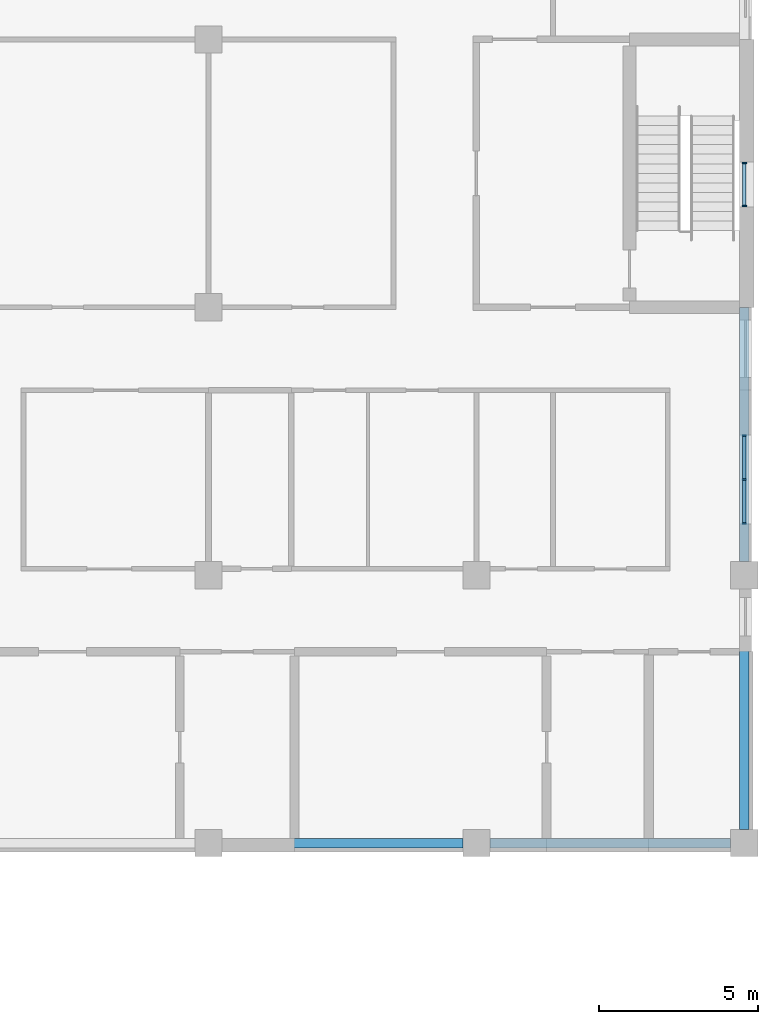
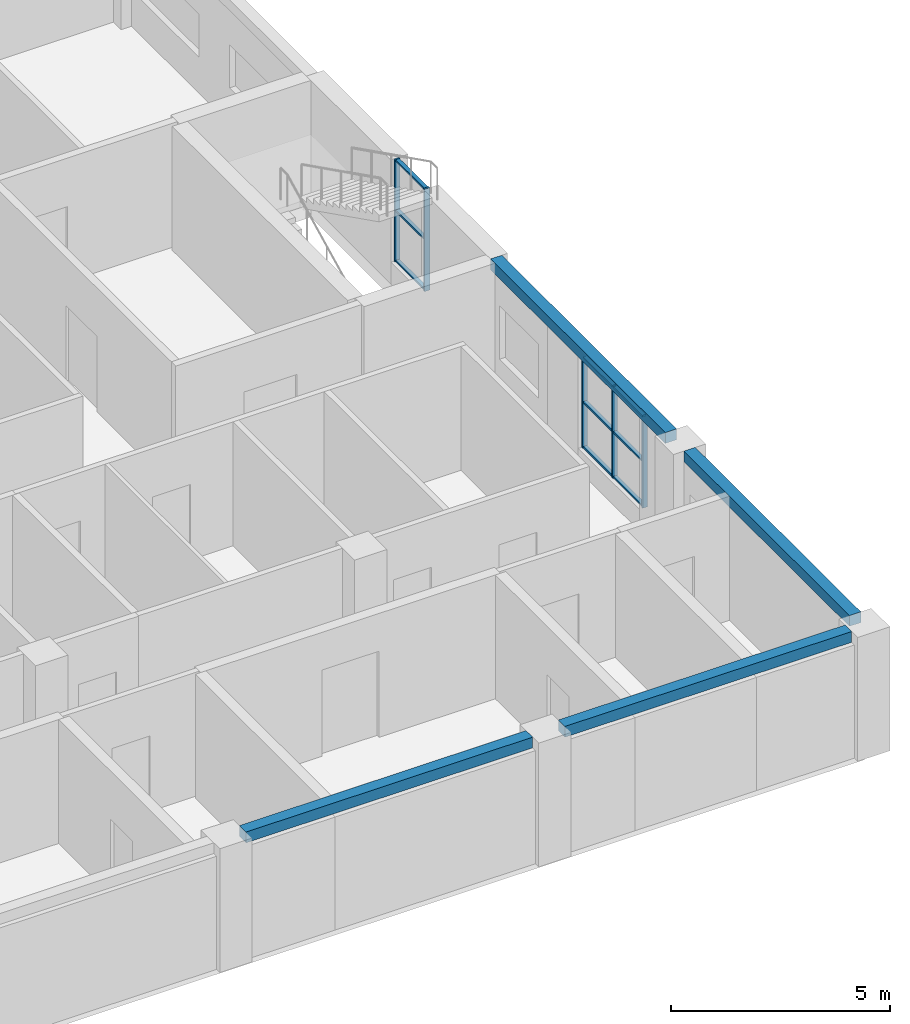
# One storey, part 36 of 94: 14 members, 4 beams, 2 elements without a shape of their own.
"""IFC4 building model written with IfcOpenShell, lengths in metres."""

import ifcopenshell
import ifcopenshell.guid

model = None  # the IFC model being written
_history = None  # IfcOwnerHistory: only IFC2X3 demands one
_inside = {}  # id of a spatial element -> (the spatial element, [elements in it])
_under = {}  # id of a project, library or spatial element -> (it, [spatial elements below it])
_declared = {}  # id of a project -> (the project, [libraries it declares])
_typed = {}  # id of a type object -> (the type object, [elements of that type])
_made_of = {}  # id of a material, layer set ... -> (it, [elements and type objects made of it])


def new_model(schema):
    """Start an empty IFC model of exactly this schema.

    Asked for "IFC4X3", IfcOpenShell would pick the latest addendum, in which some entities
    have other attributes; the version numbers below select the first issue.
    IFC2X3 requires an IfcOwnerHistory on every rooted entity: one is made here for all.
    """
    global model, _history
    if schema == "IFC4X3":
        model = ifcopenshell.file(schema_version=(4, 3, 0, 0))
    else:
        model = ifcopenshell.file(schema=schema)
    _inside.clear()
    _under.clear()
    _declared.clear()
    _typed.clear()
    _made_of.clear()
    _history = None
    if model.schema == "IFC2X3":
        org = make("IfcOrganization", Name="unknown")
        user = make(
            "IfcPersonAndOrganization",
            ThePerson=make("IfcPerson", FamilyName="unknown"),
            TheOrganization=org,
        )
        app = make(
            "IfcApplication",
            ApplicationDeveloper=org,
            Version="unknown",
            ApplicationFullName="unknown",
            ApplicationIdentifier="unknown",
        )
        _history = make(
            "IfcOwnerHistory",
            OwningUser=user,
            OwningApplication=app,
            ChangeAction="ADDED",
            CreationDate=0,
        )
    return model


def make(cls, **values):
    """One entity of the class cls with the attributes given. An attribute that is None is left unset."""
    return model.create_entity(
        cls, **{name: value for name, value in values.items() if value is not None}
    )


def rooted(cls, **values):
    """An entity with a GlobalId (a new one), such as an element, a storey or a relation."""
    return make(cls, GlobalId=ifcopenshell.guid.new(), OwnerHistory=_history, **values)


def si_unit(unit_type, name, prefix=None):
    """IfcSIUnit, for example si_unit("LENGTHUNIT", "METRE", prefix="MILLI")."""
    return make("IfcSIUnit", UnitType=unit_type, Prefix=prefix, Name=name)


def assignment(units):
    """IfcUnitAssignment: the units of a project."""
    return None if units is None else make("IfcUnitAssignment", Units=units)


def point(xyz):
    """IfcCartesianPoint."""
    return None if xyz is None else make("IfcCartesianPoint", Coordinates=xyz)


def direction(xyz):
    """IfcDirection."""
    return None if xyz is None else make("IfcDirection", DirectionRatios=xyz)


def frame(location, z_axis=None, x_axis=None):
    """IfcAxis2Placement3D, a coordinate frame: its origin and axes. An axis left out is left unset."""
    return make(
        "IfcAxis2Placement3D",
        Location=point(location),
        Axis=direction(z_axis),
        RefDirection=direction(x_axis),
    )


def frame_2d(location, x_axis=None):
    """IfcAxis2Placement2D, a coordinate frame in the plane: its origin and x axis."""
    return make(
        "IfcAxis2Placement2D", Location=point(location), RefDirection=direction(x_axis)
    )


def origin():
    """The frame at (0, 0, 0) with its axes left unset."""
    return frame((0.0, 0.0, 0.0))


def origin_2d():
    """The frame at (0, 0) in the plane with its x axis left unset."""
    return frame_2d((0.0, 0.0))


def place(relative_to, where):
    """IfcLocalPlacement: puts the frame where relative to a parent placement (None: the world)."""
    return make(
        "IfcLocalPlacement", PlacementRelTo=relative_to, RelativePlacement=where
    )


def context(
    kind, dimensions, precision=None, world=None, true_north=None, identifier=None
):
    """IfcGeometricRepresentationContext, for example the 3D "Model" context."""
    return make(
        "IfcGeometricRepresentationContext",
        ContextIdentifier=identifier,
        ContextType=kind,
        CoordinateSpaceDimension=dimensions,
        Precision=precision,
        WorldCoordinateSystem=world,
        TrueNorth=true_north,
    )


def subcontext(parent, identifier, kind, view, scale=None):
    """IfcGeometricRepresentationSubContext, for example "Body" below "Model"."""
    return make(
        "IfcGeometricRepresentationSubContext",
        ContextIdentifier=identifier,
        ContextType=kind,
        ParentContext=parent,
        TargetScale=scale,
        TargetView=view,
    )


def project(units=None, contexts=None):
    """IfcProject with its units and contexts."""
    return rooted(
        "IfcProject",
        Name="project",
        RepresentationContexts=contexts,
        UnitsInContext=assignment(units),
    )


def spatial(cls, under=None, at=None, **own):
    """A site, building, storey or space (cls), placed at a placement, below another one or the project."""
    s = rooted(cls, ObjectPlacement=at, **own)
    if under is not None:
        _under.setdefault(under.id(), (under, []))[1].append(s)
    return s


def profile(cls, at=None, kind="AREA", **sizes):
    """A parametric profile (cls). Its sizes go by their IFC names, for example OverallWidth=200.0."""
    return make(cls, ProfileType=kind, Position=at, **sizes)


def rectangle(**sizes):
    """IfcRectangleProfileDef."""
    return profile("IfcRectangleProfileDef", **sizes)


def extrude(swept, where, along, depth):
    """IfcExtrudedAreaSolid: the profile swept, set in the frame where, extruded along a direction by depth."""
    return make(
        "IfcExtrudedAreaSolid",
        SweptArea=swept,
        Position=where,
        ExtrudedDirection=direction(along),
        Depth=depth,
    )


def shape(context_of_items, identifier, shape_type, items):
    """IfcShapeRepresentation: the items that make up one representation, for example the "Body"."""
    return make(
        "IfcShapeRepresentation",
        ContextOfItems=context_of_items,
        RepresentationIdentifier=identifier,
        RepresentationType=shape_type,
        Items=items,
    )


def material(Name=None, Category=None):
    """IfcMaterial."""
    return make("IfcMaterial", Name=Name, Category=Category)


def material_profile(
    of_material, cross_section, Name=None, Category=None, Priority=None
):
    """IfcMaterialProfile: a cross section and its material."""
    return make(
        "IfcMaterialProfile",
        Name=Name,
        Material=of_material,
        Profile=cross_section,
        Priority=Priority,
        Category=Category,
    )


def profile_set(profiles, Name=None, composite=None):
    """IfcMaterialProfileSet."""
    return make(
        "IfcMaterialProfileSet",
        Name=Name,
        MaterialProfiles=profiles,
        CompositeProfile=composite,
    )


def made_of(thing, what):
    """Note that an element or type object is made of a material, layer set ...; save() writes the relation."""
    if what is not None:
        _made_of.setdefault(what.id(), (what, []))[1].append(thing)
    return thing


def type_object(cls, material=None, **own):
    """A type object (cls), such as IfcWallType, which elements share."""
    return made_of(rooted(cls, **own), material)


def element(
    cls,
    number,
    at=None,
    inside=None,
    cuts=None,
    type_object=None,
    material=None,
    context=None,
    identifier="Body",
    shape_type=None,
    held_by="IfcProductDefinitionShape",
    body=None,
    shapes=None,
    **own,
):
    """One element of the class cls, such as IfcWall. Its Tag is "e" and its number.

    at: its placement. inside: the storey or other place that contains it. cuts: it is an
    opening in that element (IfcRelVoidsElement). A single representation is given by context,
    identifier, shape_type and body (its items); several are given by shapes. held_by: the class
    of the entity that holds the representations. save() writes the other relations.
    """
    e = rooted(cls, Tag="e%d" % number, ObjectPlacement=at, **own)
    if body is not None:
        shapes = [shape(context, identifier, shape_type, body)]
    if shapes is not None:
        e.Representation = make(held_by, Representations=shapes)
    if inside is not None:
        _inside.setdefault(inside.id(), (inside, []))[1].append(e)
    if cuts is not None:
        rooted(
            "IfcRelVoidsElement", RelatingBuildingElement=cuts, RelatedOpeningElement=e
        )
    if type_object is not None:
        _typed.setdefault(type_object.id(), (type_object, []))[1].append(e)
    return made_of(e, material)


def aggregate(whole, parts):
    """IfcRelAggregates: a whole, such as a stair, and the parts it consists of."""
    return rooted("IfcRelAggregates", RelatingObject=whole, RelatedObjects=parts)


def save(model, path):
    """Write the relations noted so far, then the file.

    IfcRelAggregates (storeys below a building ...), IfcRelContainedInSpatialStructure (elements
    in a storey), IfcRelDefinesByType, IfcRelAssociatesMaterial and IfcRelDeclares: one each for
    every whole, place, type object, material and project.
    """
    for whole, parts in _under.values():
        aggregate(whole, parts)
    for where, things in _inside.values():
        rooted(
            "IfcRelContainedInSpatialStructure",
            RelatedElements=things,
            RelatingStructure=where,
        )
    for kind, things in _typed.values():
        rooted("IfcRelDefinesByType", RelatedObjects=things, RelatingType=kind)
    for what, things in _made_of.values():
        rooted("IfcRelAssociatesMaterial", RelatedObjects=things, RelatingMaterial=what)
    for by, libraries in _declared.values():
        rooted("IfcRelDeclares", RelatingContext=by, RelatedDefinitions=libraries)
    model.write(path)


model = new_model("IFC4")

# Units and contexts
model_context = context("Model", 3, precision=1e-05, world=origin(), true_north=direction((0.0, 1.0)))
body_context = subcontext(model_context, "Body", "Model", "MODEL_VIEW")
ifc_project = project(units=[si_unit("LENGTHUNIT", "METRE"), si_unit("AREAUNIT", "SQUARE_METRE"), si_unit("VOLUMEUNIT", "CUBIC_METRE"), si_unit("PLANEANGLEUNIT", "RADIAN"), si_unit("MASSUNIT", "GRAM", prefix="KILO")], contexts=[model_context])

# Site, building, storey
site_placement = place(None, origin())
site = spatial("IfcSite", under=ifc_project, at=site_placement, CompositionType="ELEMENT")
building_placement = place(site_placement, origin())
building = spatial("IfcBuilding", under=site, at=building_placement, Name="Yavir Park General Hospital", CompositionType="ELEMENT")
storey_placement = place(building_placement, frame((0.0, 0.0, 4.5)))
storey = spatial("IfcBuildingStorey", under=building, at=storey_placement, Name="L01", CompositionType="ELEMENT", Elevation=4.5)

# Curtain wall, members
ifc_material_1 = material(Name="Aluminium curtain wall frame with insulated glazing", Category="aluminium")
curtain_wall_type_1 = type_object("IfcCurtainWallType", Name="Clinical corridor end glazing, 2550 high, 1400 module", PredefinedType="NOTDEFINED", material=ifc_material_1)
curtain_wall_1_placement = place(storey_placement, origin())
curtain_wall_1 = element("IfcCurtainWall", 1, at=curtain_wall_1_placement, inside=storey, type_object=curtain_wall_type_1, Name="CW55 L01-028", PredefinedType="NOTDEFINED")
ifc_material_2 = material(Name="Aluminium", Category="aluminium")
ifc_material_profile_1 = material_profile(ifc_material_2, rectangle(XDim=0.1298828125, YDim=0.050048828125, at=origin_2d()), Name="AL 50x130")
ifc_profile_set_1 = profile_set([ifc_material_profile_1], Name="Aluminium")
member_type_1 = type_object("IfcMemberType", Name="Clinical corridor end glazing, 2550 high mullion 50 x 130", PredefinedType="MULLION", material=ifc_profile_set_1)
member_1_placement = place(storey_placement, frame((168.0, 10.02490234375, 0.60009765625), z_axis=(0.0, 0.0, 1.0), x_axis=(-1.0, 0.0, 0.0)))
member_1 = element("IfcMember", 2, at=member_1_placement, type_object=member_type_1, Name="CW55 mullion 1", PredefinedType="MULLION", context=body_context, shape_type="SweptSolid", body=[
    extrude(rectangle(XDim=0.1298828125, YDim=0.050048828125, at=origin_2d()), origin(), (0.0, 0.0, 1.0), 2.5498046875),
])
member_2_placement = place(storey_placement, frame((168.0, 11.39990234375, 0.60009765625), z_axis=(0.0, 0.0, 1.0), x_axis=(-1.0, 0.0, 0.0)))
member_2 = element("IfcMember", 3, at=member_2_placement, type_object=member_type_1, Name="CW55 mullion 2", PredefinedType="MULLION", context=body_context, shape_type="SweptSolid", body=[
    extrude(rectangle(XDim=0.1298828125, YDim=0.050048828125, at=origin_2d()), origin(), (0.0, 0.0, 1.0), 2.5498046875),
])
member_3_placement = place(storey_placement, frame((168.0, 12.77490234375, 0.60009765625), z_axis=(0.0, 0.0, 1.0), x_axis=(-1.0, 0.0, 0.0)))
member_3 = element("IfcMember", 4, at=member_3_placement, type_object=member_type_1, Name="CW55 mullion 3", PredefinedType="MULLION", context=body_context, shape_type="SweptSolid", body=[
    extrude(rectangle(XDim=0.1298828125, YDim=0.050048828125, at=origin_2d()), origin(), (0.0, 0.0, 1.0), 2.5498046875),
])
ifc_material_3 = material(Name="Aluminium", Category="aluminium")
ifc_material_profile_2 = material_profile(ifc_material_3, rectangle(XDim=0.10009765625, YDim=0.050048828125, at=origin_2d()), Name="AL 100x50")
ifc_profile_set_2 = profile_set([ifc_material_profile_2], Name="Aluminium")
member_type_2 = type_object("IfcMemberType", Name="Clinical corridor end glazing, 2550 high transom 50 x 100", PredefinedType="MULLION", material=ifc_profile_set_2)
member_4_placement = place(storey_placement, frame((168.0, 10.050048828125, 0.625), z_axis=(0.0, 1.0, 0.0), x_axis=(-1.0, 0.0, 0.0)))
member_4 = element("IfcMember", 5, at=member_4_placement, type_object=member_type_2, Name="CW55 transom 1.1", PredefinedType="MULLION", context=body_context, shape_type="SweptSolid", body=[
    extrude(rectangle(XDim=0.10009765625, YDim=0.050048828125, at=origin_2d()), origin(), (0.0, 0.0, 1.0), 1.324951171875),
])
member_5_placement = place(storey_placement, frame((168.0, 10.050048828125, 1.875), z_axis=(0.0, 1.0, 0.0), x_axis=(-1.0, 0.0, 0.0)))
member_5 = element("IfcMember", 6, at=member_5_placement, type_object=member_type_2, Name="CW55 transom 1.2", PredefinedType="MULLION", context=body_context, shape_type="SweptSolid", body=[
    extrude(rectangle(XDim=0.10009765625, YDim=0.050048828125, at=origin_2d()), origin(), (0.0, 0.0, 1.0), 1.324951171875),
])
member_6_placement = place(storey_placement, frame((168.0, 10.050048828125, 3.125), z_axis=(0.0, 1.0, 0.0), x_axis=(-1.0, 0.0, 0.0)))
member_6 = element("IfcMember", 7, at=member_6_placement, type_object=member_type_2, Name="CW55 transom 1.3", PredefinedType="MULLION", context=body_context, shape_type="SweptSolid", body=[
    extrude(rectangle(XDim=0.10009765625, YDim=0.050048828125, at=origin_2d()), origin(), (0.0, 0.0, 1.0), 1.324951171875),
])
member_7_placement = place(storey_placement, frame((168.0, 11.425048828125, 0.625), z_axis=(0.0, 1.0, 0.0), x_axis=(-1.0, 0.0, 0.0)))
member_7 = element("IfcMember", 8, at=member_7_placement, type_object=member_type_2, Name="CW55 transom 2.1", PredefinedType="MULLION", context=body_context, shape_type="SweptSolid", body=[
    extrude(rectangle(XDim=0.10009765625, YDim=0.050048828125, at=origin_2d()), origin(), (0.0, 0.0, 1.0), 1.324951171875),
])
member_8_placement = place(storey_placement, frame((168.0, 11.425048828125, 1.875), z_axis=(0.0, 1.0, 0.0), x_axis=(-1.0, 0.0, 0.0)))
member_8 = element("IfcMember", 9, at=member_8_placement, type_object=member_type_2, Name="CW55 transom 2.2", PredefinedType="MULLION", context=body_context, shape_type="SweptSolid", body=[
    extrude(rectangle(XDim=0.10009765625, YDim=0.050048828125, at=origin_2d()), origin(), (0.0, 0.0, 1.0), 1.324951171875),
])
member_9_placement = place(storey_placement, frame((168.0, 11.425048828125, 3.125), z_axis=(0.0, 1.0, 0.0), x_axis=(-1.0, 0.0, 0.0)))
member_9 = element("IfcMember", 10, at=member_9_placement, type_object=member_type_2, Name="CW55 transom 2.3", PredefinedType="MULLION", context=body_context, shape_type="SweptSolid", body=[
    extrude(rectangle(XDim=0.10009765625, YDim=0.050048828125, at=origin_2d()), origin(), (0.0, 0.0, 1.0), 1.324951171875),
])
aggregate(curtain_wall_1, [member_1, member_2, member_3, member_4, member_5, member_6, member_7, member_8, member_9])

# Beams
ifc_material_4 = material(Name="Concrete C35/45", Category="concrete")
ifc_material_profile_3 = material_profile(ifc_material_4, rectangle(XDim=0.300048828125, YDim=0.300048828125, at=origin_2d()), Name="RC300x300")
ifc_profile_set_3 = profile_set([ifc_material_profile_3], Name="Concrete C35/45")
beam_type = type_object("IfcBeamType", Name="RC BEAM 300x300 edge beam", PredefinedType="BEAM", material=ifc_profile_set_3)
for number, where, z_axis, x_axis, name in (
    (11, (151.625, 0.0, 3.300048828125), (1.0, 0.0, 0.0), (0.0, 1.0, 0.0), "B:EDGE:L01:015"),
    (12, (160.02490234375, 0.0, 3.300048828125), (1.0, 0.0, 0.0), (0.0, 1.0, 0.0), "B:EDGE:L01:016"),
    (13, (168.0, 0.425048828125, 3.300048828125), (0.0, 1.0, 0.0), (-1.0, 0.0, 0.0), "B:EDGE:L01:055"),
):
    element("IfcBeam", number, at=place(storey_placement, frame(where, z_axis=z_axis, x_axis=x_axis)), inside=storey, type_object=beam_type, Name=name, PredefinedType="BEAM", context=body_context, shape_type="SweptSolid", body=[
        extrude(rectangle(XDim=0.300048828125, YDim=0.300048828125, at=origin_2d()), origin(), (0.0, 0.0, 1.0), 7.550048828125),
    ])
beam_placement = place(storey_placement, frame((168.0, 8.824951171875, 3.300048828125), z_axis=(0.0, 1.0, 0.0), x_axis=(-1.0, 0.0, 0.0)))
element("IfcBeam", 14, at=beam_placement, inside=storey, type_object=beam_type, Name="B:EDGE:L01:056", PredefinedType="BEAM", context=body_context, shape_type="SweptSolid", body=[
    extrude(rectangle(XDim=0.300048828125, YDim=0.300048828125, at=origin_2d()), origin(), (0.0, 0.0, 1.0), 7.97509765625),
])

# Curtain wall, members
ifc_material_5 = material(Name="Aluminium curtain wall frame with insulated glazing", Category="aluminium")
curtain_wall_type_2 = type_object("IfcCurtainWallType", Name="Stair light slot, podium, 2850 high, 1400 module", PredefinedType="NOTDEFINED", material=ifc_material_5)
curtain_wall_2_placement = place(storey_placement, origin())
curtain_wall_2 = element("IfcCurtainWall", 15, at=curtain_wall_2_placement, inside=storey, type_object=curtain_wall_type_2, Name="CW9 L01-029", PredefinedType="NOTDEFINED")
ifc_material_6 = material(Name="Aluminium", Category="aluminium")
ifc_material_profile_4 = material_profile(ifc_material_6, rectangle(XDim=0.139892578125, YDim=0.050048828125, at=origin_2d()), Name="AL 50x140")
ifc_profile_set_4 = profile_set([ifc_material_profile_4], Name="Aluminium")
member_type_3 = type_object("IfcMemberType", Name="Stair light slot, podium, 2850 high mullion 50 x 140", PredefinedType="MULLION", material=ifc_profile_set_4)
member_10_placement = place(storey_placement, frame((168.0, 19.97509765625, 0.60009765625), z_axis=(0.0, 0.0, 1.0), x_axis=(-1.0, 0.0, 0.0)))
member_10 = element("IfcMember", 16, at=member_10_placement, type_object=member_type_3, Name="CW9 mullion 1", PredefinedType="MULLION", context=body_context, shape_type="SweptSolid", body=[
    extrude(rectangle(XDim=0.139892578125, YDim=0.050048828125, at=origin_2d()), origin(), (0.0, 0.0, 1.0), 2.849853515625),
])
member_11_placement = place(storey_placement, frame((168.0, 21.324951171875, 0.60009765625), z_axis=(0.0, 0.0, 1.0), x_axis=(-1.0, 0.0, 0.0)))
member_11 = element("IfcMember", 17, at=member_11_placement, type_object=member_type_3, Name="CW9 mullion 2", PredefinedType="MULLION", context=body_context, shape_type="SweptSolid", body=[
    extrude(rectangle(XDim=0.139892578125, YDim=0.050048828125, at=origin_2d()), origin(), (0.0, 0.0, 1.0), 2.849853515625),
])
ifc_material_7 = material(Name="Aluminium", Category="aluminium")
ifc_material_profile_5 = material_profile(ifc_material_7, rectangle(XDim=0.10009765625, YDim=0.050048828125, at=origin_2d()), Name="AL 100x50")
ifc_profile_set_5 = profile_set([ifc_material_profile_5], Name="Aluminium")
member_type_4 = type_object("IfcMemberType", Name="Stair light slot, podium, 2850 high transom 50 x 100", PredefinedType="MULLION", material=ifc_profile_set_5)
member_12_placement = place(storey_placement, frame((168.0, 20.0, 0.625), z_axis=(0.0, 1.0, 0.0), x_axis=(-1.0, 0.0, 0.0)))
member_12 = element("IfcMember", 18, at=member_12_placement, type_object=member_type_4, Name="CW9 transom 1.1", PredefinedType="MULLION", context=body_context, shape_type="SweptSolid", body=[
    extrude(rectangle(XDim=0.10009765625, YDim=0.050048828125, at=origin_2d()), origin(), (0.0, 0.0, 1.0), 1.300048828125),
])
member_13_placement = place(storey_placement, frame((168.0, 20.0, 2.02490234375), z_axis=(0.0, 1.0, 0.0), x_axis=(-1.0, 0.0, 0.0)))
member_13 = element("IfcMember", 19, at=member_13_placement, type_object=member_type_4, Name="CW9 transom 1.2", PredefinedType="MULLION", context=body_context, shape_type="SweptSolid", body=[
    extrude(rectangle(XDim=0.10009765625, YDim=0.050048828125, at=origin_2d()), origin(), (0.0, 0.0, 1.0), 1.300048828125),
])
member_14_placement = place(storey_placement, frame((168.0, 20.0, 3.425048828125), z_axis=(0.0, 1.0, 0.0), x_axis=(-1.0, 0.0, 0.0)))
member_14 = element("IfcMember", 20, at=member_14_placement, type_object=member_type_4, Name="CW9 transom 1.3", PredefinedType="MULLION", context=body_context, shape_type="SweptSolid", body=[
    extrude(rectangle(XDim=0.10009765625, YDim=0.050048828125, at=origin_2d()), origin(), (0.0, 0.0, 1.0), 1.300048828125),
])
aggregate(curtain_wall_2, [member_10, member_11, member_12, member_13, member_14])

save(model, "model.ifc")
